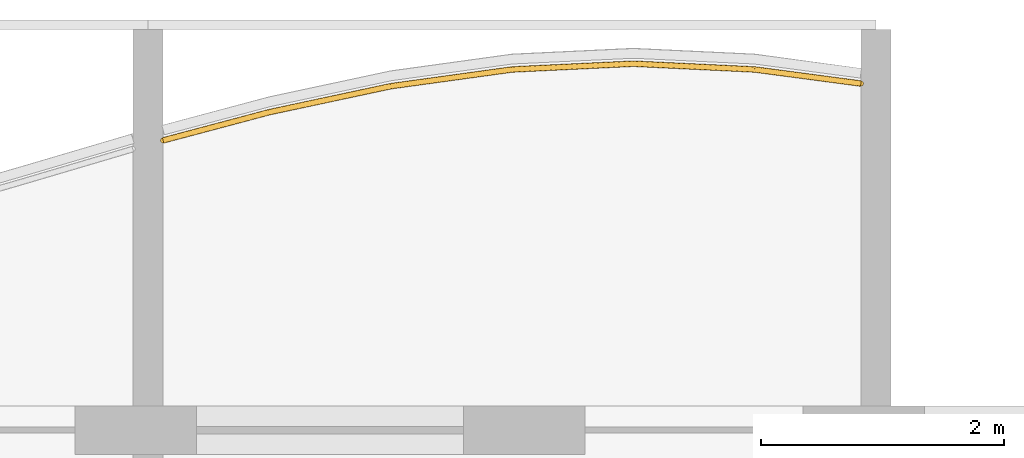
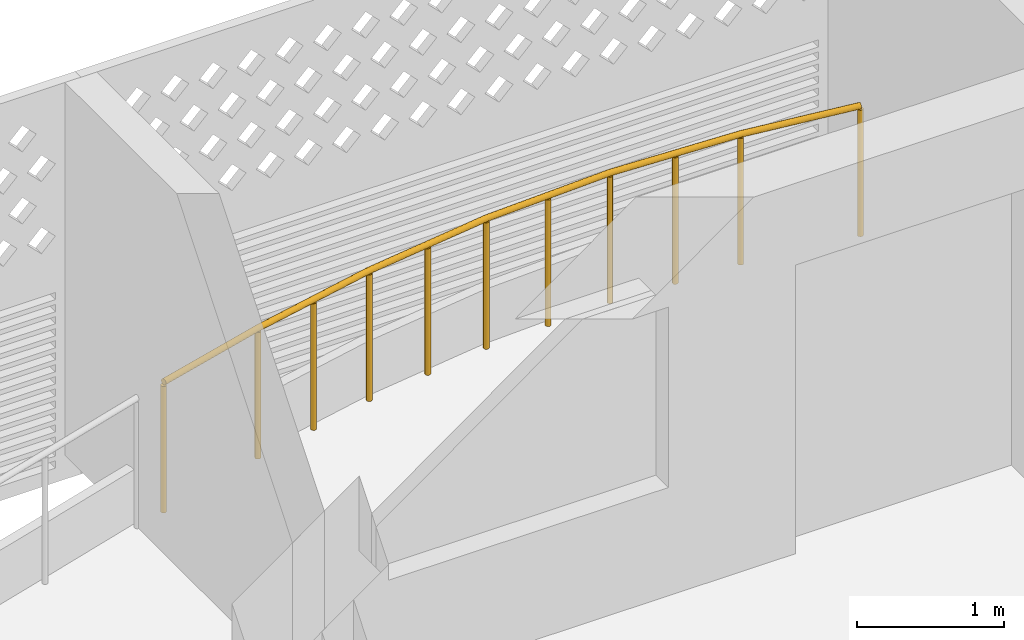
# One storey, part 22 of 29: 1 railing.
"""IFC4 building model written with IfcOpenShell, lengths in metres."""

import ifcopenshell
import ifcopenshell.guid

model = None  # the IFC model being written
_history = None  # IfcOwnerHistory: only IFC2X3 demands one
_inside = {}  # id of a spatial element -> (the spatial element, [elements in it])
_under = {}  # id of a project, library or spatial element -> (it, [spatial elements below it])
_declared = {}  # id of a project -> (the project, [libraries it declares])
_typed = {}  # id of a type object -> (the type object, [elements of that type])
_made_of = {}  # id of a material, layer set ... -> (it, [elements and type objects made of it])


def new_model(schema):
    """Start an empty IFC model of exactly this schema.

    Asked for "IFC4X3", IfcOpenShell would pick the latest addendum, in which some entities
    have other attributes; the version numbers below select the first issue.
    IFC2X3 requires an IfcOwnerHistory on every rooted entity: one is made here for all.
    """
    global model, _history
    if schema == "IFC4X3":
        model = ifcopenshell.file(schema_version=(4, 3, 0, 0))
    else:
        model = ifcopenshell.file(schema=schema)
    _inside.clear()
    _under.clear()
    _declared.clear()
    _typed.clear()
    _made_of.clear()
    _history = None
    if model.schema == "IFC2X3":
        org = make("IfcOrganization", Name="unknown")
        user = make(
            "IfcPersonAndOrganization",
            ThePerson=make("IfcPerson", FamilyName="unknown"),
            TheOrganization=org,
        )
        app = make(
            "IfcApplication",
            ApplicationDeveloper=org,
            Version="unknown",
            ApplicationFullName="unknown",
            ApplicationIdentifier="unknown",
        )
        _history = make(
            "IfcOwnerHistory",
            OwningUser=user,
            OwningApplication=app,
            ChangeAction="ADDED",
            CreationDate=0,
        )
    return model


def make(cls, **values):
    """One entity of the class cls with the attributes given. An attribute that is None is left unset."""
    return model.create_entity(
        cls, **{name: value for name, value in values.items() if value is not None}
    )


def rooted(cls, **values):
    """An entity with a GlobalId (a new one), such as an element, a storey or a relation."""
    return make(cls, GlobalId=ifcopenshell.guid.new(), OwnerHistory=_history, **values)


def si_unit(unit_type, name, prefix=None):
    """IfcSIUnit, for example si_unit("LENGTHUNIT", "METRE", prefix="MILLI")."""
    return make("IfcSIUnit", UnitType=unit_type, Prefix=prefix, Name=name)


def assignment(units):
    """IfcUnitAssignment: the units of a project."""
    return None if units is None else make("IfcUnitAssignment", Units=units)


def point(xyz):
    """IfcCartesianPoint."""
    return None if xyz is None else make("IfcCartesianPoint", Coordinates=xyz)


def direction(xyz):
    """IfcDirection."""
    return None if xyz is None else make("IfcDirection", DirectionRatios=xyz)


def frame(location, z_axis=None, x_axis=None):
    """IfcAxis2Placement3D, a coordinate frame: its origin and axes. An axis left out is left unset."""
    return make(
        "IfcAxis2Placement3D",
        Location=point(location),
        Axis=direction(z_axis),
        RefDirection=direction(x_axis),
    )


def frame_2d(location, x_axis=None):
    """IfcAxis2Placement2D, a coordinate frame in the plane: its origin and x axis."""
    return make(
        "IfcAxis2Placement2D", Location=point(location), RefDirection=direction(x_axis)
    )


def origin():
    """The frame at (0, 0, 0) with its axes left unset."""
    return frame((0.0, 0.0, 0.0))


def origin_2d():
    """The frame at (0, 0) in the plane with its x axis left unset."""
    return frame_2d((0.0, 0.0))


def place(relative_to, where):
    """IfcLocalPlacement: puts the frame where relative to a parent placement (None: the world)."""
    return make(
        "IfcLocalPlacement", PlacementRelTo=relative_to, RelativePlacement=where
    )


def context(
    kind, dimensions, precision=None, world=None, true_north=None, identifier=None
):
    """IfcGeometricRepresentationContext, for example the 3D "Model" context."""
    return make(
        "IfcGeometricRepresentationContext",
        ContextIdentifier=identifier,
        ContextType=kind,
        CoordinateSpaceDimension=dimensions,
        Precision=precision,
        WorldCoordinateSystem=world,
        TrueNorth=true_north,
    )


def subcontext(parent, identifier, kind, view, scale=None):
    """IfcGeometricRepresentationSubContext, for example "Body" below "Model"."""
    return make(
        "IfcGeometricRepresentationSubContext",
        ContextIdentifier=identifier,
        ContextType=kind,
        ParentContext=parent,
        TargetScale=scale,
        TargetView=view,
    )


def project(units=None, contexts=None):
    """IfcProject with its units and contexts."""
    return rooted(
        "IfcProject",
        Name="project",
        RepresentationContexts=contexts,
        UnitsInContext=assignment(units),
    )


def spatial(cls, under=None, at=None, **own):
    """A site, building, storey or space (cls), placed at a placement, below another one or the project."""
    s = rooted(cls, ObjectPlacement=at, **own)
    if under is not None:
        _under.setdefault(under.id(), (under, []))[1].append(s)
    return s


def profile(cls, at=None, kind="AREA", **sizes):
    """A parametric profile (cls). Its sizes go by their IFC names, for example OverallWidth=200.0."""
    return make(cls, ProfileType=kind, Position=at, **sizes)


def circle(**sizes):
    """IfcCircleProfileDef."""
    return profile("IfcCircleProfileDef", **sizes)


def extrude(swept, where, along, depth):
    """IfcExtrudedAreaSolid: the profile swept, set in the frame where, extruded along a direction by depth."""
    return make(
        "IfcExtrudedAreaSolid",
        SweptArea=swept,
        Position=where,
        ExtrudedDirection=direction(along),
        Depth=depth,
    )


def shape(context_of_items, identifier, shape_type, items):
    """IfcShapeRepresentation: the items that make up one representation, for example the "Body"."""
    return make(
        "IfcShapeRepresentation",
        ContextOfItems=context_of_items,
        RepresentationIdentifier=identifier,
        RepresentationType=shape_type,
        Items=items,
    )


def material(Name=None, Category=None):
    """IfcMaterial."""
    return make("IfcMaterial", Name=Name, Category=Category)


def made_of(thing, what):
    """Note that an element or type object is made of a material, layer set ...; save() writes the relation."""
    if what is not None:
        _made_of.setdefault(what.id(), (what, []))[1].append(thing)
    return thing


def type_object(cls, material=None, **own):
    """A type object (cls), such as IfcWallType, which elements share."""
    return made_of(rooted(cls, **own), material)


def element(
    cls,
    number,
    at=None,
    inside=None,
    cuts=None,
    type_object=None,
    material=None,
    context=None,
    identifier="Body",
    shape_type=None,
    held_by="IfcProductDefinitionShape",
    body=None,
    shapes=None,
    **own,
):
    """One element of the class cls, such as IfcWall. Its Tag is "e" and its number.

    at: its placement. inside: the storey or other place that contains it. cuts: it is an
    opening in that element (IfcRelVoidsElement). A single representation is given by context,
    identifier, shape_type and body (its items); several are given by shapes. held_by: the class
    of the entity that holds the representations. save() writes the other relations.
    """
    e = rooted(cls, Tag="e%d" % number, ObjectPlacement=at, **own)
    if body is not None:
        shapes = [shape(context, identifier, shape_type, body)]
    if shapes is not None:
        e.Representation = make(held_by, Representations=shapes)
    if inside is not None:
        _inside.setdefault(inside.id(), (inside, []))[1].append(e)
    if cuts is not None:
        rooted(
            "IfcRelVoidsElement", RelatingBuildingElement=cuts, RelatedOpeningElement=e
        )
    if type_object is not None:
        _typed.setdefault(type_object.id(), (type_object, []))[1].append(e)
    return made_of(e, material)


def aggregate(whole, parts):
    """IfcRelAggregates: a whole, such as a stair, and the parts it consists of."""
    return rooted("IfcRelAggregates", RelatingObject=whole, RelatedObjects=parts)


def save(model, path):
    """Write the relations noted so far, then the file.

    IfcRelAggregates (storeys below a building ...), IfcRelContainedInSpatialStructure (elements
    in a storey), IfcRelDefinesByType, IfcRelAssociatesMaterial and IfcRelDeclares: one each for
    every whole, place, type object, material and project.
    """
    for whole, parts in _under.values():
        aggregate(whole, parts)
    for where, things in _inside.values():
        rooted(
            "IfcRelContainedInSpatialStructure",
            RelatedElements=things,
            RelatingStructure=where,
        )
    for kind, things in _typed.values():
        rooted("IfcRelDefinesByType", RelatedObjects=things, RelatingType=kind)
    for what, things in _made_of.values():
        rooted("IfcRelAssociatesMaterial", RelatedObjects=things, RelatingMaterial=what)
    for by, libraries in _declared.values():
        rooted("IfcRelDeclares", RelatingContext=by, RelatedDefinitions=libraries)
    model.write(path)


model = new_model("IFC4")

# Units and contexts
model_context = context("Model", 3, precision=1e-05, world=origin(), true_north=direction((0.0, 1.0)))
body_context = subcontext(model_context, "Body", "Model", "MODEL_VIEW")
ifc_project = project(units=[si_unit("LENGTHUNIT", "METRE"), si_unit("AREAUNIT", "SQUARE_METRE"), si_unit("VOLUMEUNIT", "CUBIC_METRE"), si_unit("PLANEANGLEUNIT", "RADIAN"), si_unit("MASSUNIT", "GRAM", prefix="KILO")], contexts=[model_context])

# Site, building, storey
site_placement = place(None, origin())
site = spatial("IfcSite", under=ifc_project, at=site_placement, CompositionType="ELEMENT")
building_placement = place(site_placement, origin())
building = spatial("IfcBuilding", under=site, at=building_placement, Name="Poui Terraces", CompositionType="ELEMENT")
storey_placement = place(building_placement, frame((0.0, 0.0, 231.300048828125)))
storey = spatial("IfcBuildingStorey", under=building, at=storey_placement, Name="L64", CompositionType="ELEMENT", Elevation=231.300048828125)

# Railing
ifc_material = material(Name="Painted steel fretwork", Category="steel")
railing_type = type_object("IfcRailingType", Name="BALCONY GUARD 1100", PredefinedType="GUARDRAIL", material=ifc_material)
railing_placement = place(storey_placement, frame((48.125, 43.587890625, 0.0)))
element("IfcRailing", 1, at=railing_placement, inside=storey, type_object=railing_type, Name="BALCONY GUARD", PredefinedType="GUARDRAIL", context=body_context, shape_type="SweptSolid", body=[
    extrude(circle(Radius=0.02392578125, at=origin_2d()), frame((0.0, 0.0, 1.076171875), z_axis=(0.966418189442, 0.256974479503, 0.0), x_axis=(-0.256974479503, 0.966418189442, 0.0)), (0.0, 0.0, 1.0), 0.905517578125),
    extrude(circle(Radius=0.02392578125, at=origin_2d()), frame((0.875, 0.232666015625, 1.076171875), z_axis=(0.977886186539, 0.20913776841, 0.0), x_axis=(-0.20913776841, 0.977886186539, 0.0)), (0.0, 0.0, 1.0), 1.022705078125),
    extrude(circle(Radius=0.02392578125, at=origin_2d()), frame((1.875, 0.446533203125, 1.076171875), z_axis=(0.990620000385, 0.136645581108, 0.0), x_axis=(-0.136645581108, 0.990620000385, 0.0)), (0.0, 0.0, 1.0), 1.009521484375),
    extrude(circle(Radius=0.02392578125, at=origin_2d()), frame((2.875, 0.58447265625, 1.076171875), z_axis=(0.998868689387, 0.047553563093, 0.0), x_axis=(-0.047553563093, 0.998868689387, 0.0)), (0.0, 0.0, 1.0), 1.001220703125),
    extrude(circle(Radius=0.02392578125, at=origin_2d()), frame((3.875, 0.632080078125, 1.076171875), z_axis=(0.998868689387, -0.047553563093, 0.0), x_axis=(0.047553563093, 0.998868689387, 0.0)), (0.0, 0.0, 1.0), 1.001220703125),
    extrude(circle(Radius=0.02392578125, at=origin_2d()), frame((4.875, 0.58447265625, 1.076171875), z_axis=(0.991331470199, -0.131384611703, 0.0), x_axis=(0.131384611703, 0.991331470199, 0.0)), (0.0, 0.0, 1.0), 0.882568359375),
    extrude(circle(Radius=0.02099609375, at=origin_2d()), origin(), (0.0, 0.0, 1.0), 1.052001953125),
    extrude(circle(Radius=0.02099609375, at=origin_2d()), frame((0.875, 0.232666015625, 0.0)), (0.0, 0.0, 1.0), 1.052001953125),
    extrude(circle(Radius=0.02099609375, at=origin_2d()), frame((1.375, 0.339599609375, 0.0)), (0.0, 0.0, 1.0), 1.052001953125),
    extrude(circle(Radius=0.02099609375, at=origin_2d()), frame((1.875, 0.446533203125, 0.0)), (0.0, 0.0, 1.0), 1.052001953125),
    extrude(circle(Radius=0.02099609375, at=origin_2d()), frame((2.375, 0.515625, 0.0)), (0.0, 0.0, 1.0), 1.052001953125),
    extrude(circle(Radius=0.02099609375, at=origin_2d()), frame((2.875, 0.58447265625, 0.0)), (0.0, 0.0, 1.0), 1.052001953125),
    extrude(circle(Radius=0.02099609375, at=origin_2d()), frame((3.375, 0.6083984375, 0.0)), (0.0, 0.0, 1.0), 1.052001953125),
    extrude(circle(Radius=0.02099609375, at=origin_2d()), frame((3.875, 0.632080078125, 0.0)), (0.0, 0.0, 1.0), 1.052001953125),
    extrude(circle(Radius=0.02099609375, at=origin_2d()), frame((4.375, 0.6083984375, 0.0)), (0.0, 0.0, 1.0), 1.052001953125),
    extrude(circle(Radius=0.02099609375, at=origin_2d()), frame((4.875, 0.58447265625, 0.0)), (0.0, 0.0, 1.0), 1.052001953125),
    extrude(circle(Radius=0.02099609375, at=origin_2d()), frame((5.75, 0.468505859375, 0.0)), (0.0, 0.0, 1.0), 1.052001953125),
])

save(model, "model.ifc")
